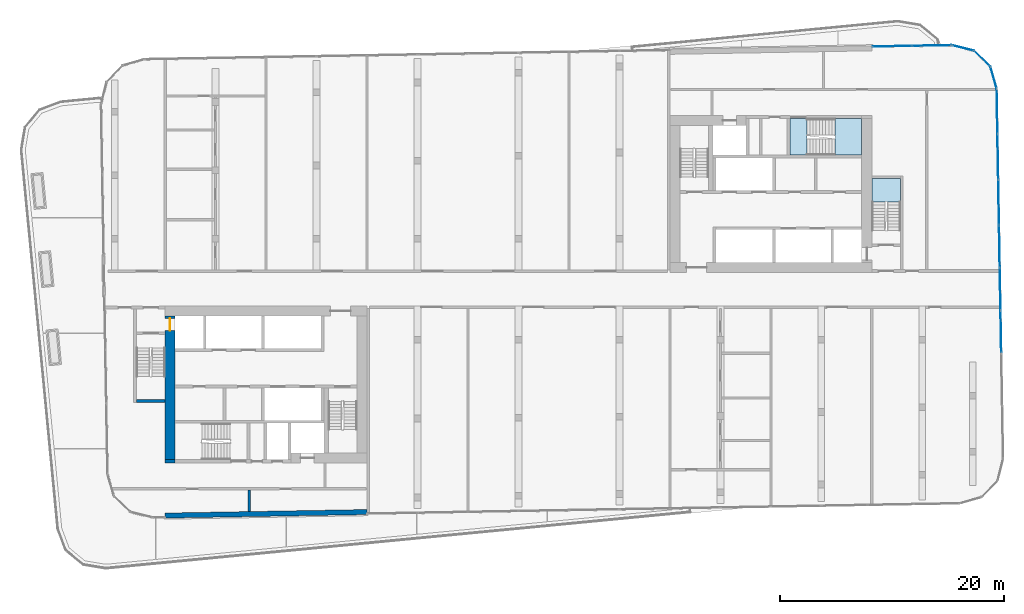
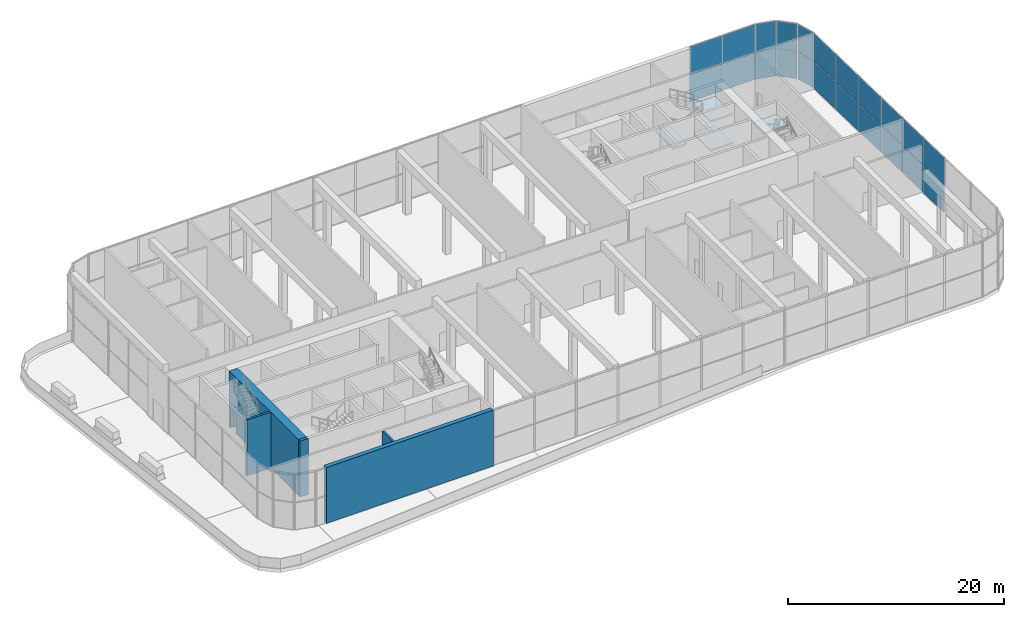
# One storey, part 11 of 24: 22 plates, 5 walls, 4 slabs, 1 door, 1 opening, 8 elements without a shape of their own.
"""IFC4 building model written with IfcOpenShell, lengths in metres."""

from ifc_helpers import new_model, si_unit, direction, frame, frame_2d, origin, origin_2d, place, context, subcontext, project, spatial, polyline, rectangle, outline, extrude, material, layer, layer_set, type_object, element, fill, aggregate, save


model = new_model("IFC4")

# Units and contexts
model_context = context("Model", 3, precision=1e-05, world=origin(), true_north=direction((0.0, 1.0)))
body_context = subcontext(model_context, "Body", "Model", "MODEL_VIEW")
ifc_project = project(units=[si_unit("LENGTHUNIT", "METRE"), si_unit("AREAUNIT", "SQUARE_METRE"), si_unit("VOLUMEUNIT", "CUBIC_METRE"), si_unit("PLANEANGLEUNIT", "RADIAN"), si_unit("MASSUNIT", "GRAM", prefix="KILO")], contexts=[model_context])

# Site, building, storey
site_placement = place(None, origin())
site = spatial("IfcSite", under=ifc_project, at=site_placement, CompositionType="ELEMENT")
building_placement = place(site_placement, origin())
building = spatial("IfcBuilding", under=site, at=building_placement, Name="Kajstack Hotel Tower", CompositionType="ELEMENT")
storey_placement = place(building_placement, frame((0.0, 0.0, 211.10009765625)))
storey = spatial("IfcBuildingStorey", under=building, at=storey_placement, Name="L51", CompositionType="ELEMENT", Elevation=211.10009765625)

# Curtain wall, plates
ifc_material_1 = material(Name="Aluminium-framed curtain wall, low-iron insulated glass", Category="aluminium")
curtain_wall_type = type_object("IfcCurtainWallType", Name="CW-GARDEN", PredefinedType="NOTDEFINED", material=ifc_material_1)
curtain_wall_1_placement = place(storey_placement, origin())
curtain_wall_1 = element("IfcCurtainWall", 1, at=curtain_wall_1_placement, inside=storey, type_object=curtain_wall_type, Name="Curtain wall CU6 L51-08-00-1", PredefinedType="NOTDEFINED")
ifc_material_2 = material(Name="Low-iron insulated glass", Category="glass")
ifc_layer_1 = layer(ifc_material_2, 0.0400390625)
ifc_layer_set_1 = layer_set([ifc_layer_1], Name="CW-P-GARDEN")
plate_type = type_object("IfcPlateType", Name="CW-P-GARDEN", PredefinedType="CURTAIN_PANEL", material=ifc_layer_set_1)
plate_1_placement = place(storey_placement, frame((43.00927734375, -3.786376953125, 0.06005859375), z_axis=(0.0, 0.0, 1.0), x_axis=(-0.017454598673, 0.999847656888, 0.0)))
plate_1 = element("IfcPlate", 2, at=plate_1_placement, type_object=plate_type, Name="CU6 panel 1.1", PredefinedType="CURTAIN_PANEL", context=body_context, shape_type="SweptSolid", body=[
    extrude(rectangle(XDim=3.710693359375, YDim=0.0400390625, at=origin_2d()), origin(), (0.0, 0.0, 1.0), 3.070068359375),
])
plate_2_placement = place(storey_placement, frame((43.00927734375, -3.786376953125, 3.18994140625), z_axis=(0.0, 0.0, 1.0), x_axis=(-0.017454598673, 0.999847656888, 0.0)))
plate_2 = element("IfcPlate", 3, at=plate_2_placement, type_object=plate_type, Name="CU6 panel 1.2", PredefinedType="CURTAIN_PANEL", context=body_context, shape_type="SweptSolid", body=[
    extrude(rectangle(XDim=3.710693359375, YDim=0.0400390625, at=origin_2d()), origin(), (0.0, 0.0, 1.0), 3.070068359375),
])
plate_3_placement = place(storey_placement, frame((42.943359375, -0.001220703125, 0.06005859375), z_axis=(0.0, 0.0, 1.0), x_axis=(-0.017454598673, 0.999847656888, 0.0)))
plate_3 = element("IfcPlate", 4, at=plate_3_placement, type_object=plate_type, Name="CU6 panel 2.1", PredefinedType="CURTAIN_PANEL", context=body_context, shape_type="SweptSolid", body=[
    extrude(rectangle(XDim=3.74072265625, YDim=0.0400390625, at=origin_2d()), origin(), (0.0, 0.0, 1.0), 3.070068359375),
])
plate_4_placement = place(storey_placement, frame((42.943359375, -0.001220703125, 3.18994140625), z_axis=(0.0, 0.0, 1.0), x_axis=(-0.017454598673, 0.999847656888, 0.0)))
plate_4 = element("IfcPlate", 5, at=plate_4_placement, type_object=plate_type, Name="CU6 panel 2.2", PredefinedType="CURTAIN_PANEL", context=body_context, shape_type="SweptSolid", body=[
    extrude(rectangle(XDim=3.74072265625, YDim=0.0400390625, at=origin_2d()), origin(), (0.0, 0.0, 1.0), 3.070068359375),
])
plate_5_placement = place(storey_placement, frame((42.877197265625, 3.78369140625, 0.06005859375), z_axis=(0.0, 0.0, 1.0), x_axis=(-0.017454598673, 0.999847656888, 0.0)))
plate_5 = element("IfcPlate", 6, at=plate_5_placement, type_object=plate_type, Name="CU6 panel 3.1", PredefinedType="CURTAIN_PANEL", context=body_context, shape_type="SweptSolid", body=[
    extrude(rectangle(XDim=3.710693359375, YDim=0.0400390625, at=origin_2d()), origin(), (0.0, 0.0, 1.0), 3.070068359375),
])
plate_6_placement = place(storey_placement, frame((42.877197265625, 3.78369140625, 3.18994140625), z_axis=(0.0, 0.0, 1.0), x_axis=(-0.017454598673, 0.999847656888, 0.0)))
plate_6 = element("IfcPlate", 7, at=plate_6_placement, type_object=plate_type, Name="CU6 panel 3.2", PredefinedType="CURTAIN_PANEL", context=body_context, shape_type="SweptSolid", body=[
    extrude(rectangle(XDim=3.710693359375, YDim=0.0400390625, at=origin_2d()), origin(), (0.0, 0.0, 1.0), 3.070068359375),
])
aggregate(curtain_wall_1, [plate_1, plate_2, plate_3, plate_4, plate_5, plate_6])

curtain_wall_2_placement = place(storey_placement, origin())
curtain_wall_2 = element("IfcCurtainWall", 8, at=curtain_wall_2_placement, inside=storey, type_object=curtain_wall_type, Name="Curtain wall CU6 L51-08-00-2", PredefinedType="NOTDEFINED")
plate_7_placement = place(storey_placement, frame((42.80810546875, 7.746337890625, 0.06005859375), z_axis=(0.0, 0.0, 1.0), x_axis=(-0.017454524927, 0.999847658176, 0.0)))
plate_7 = element("IfcPlate", 9, at=plate_7_placement, type_object=plate_type, Name="CU6 panel 1.1", PredefinedType="CURTAIN_PANEL", context=body_context, shape_type="SweptSolid", body=[
    extrude(rectangle(XDim=3.975830078125, YDim=0.0400390625, at=origin_2d()), origin(), (0.0, 0.0, 1.0), 3.070068359375),
])
plate_8_placement = place(storey_placement, frame((42.80810546875, 7.746337890625, 3.18994140625), z_axis=(0.0, 0.0, 1.0), x_axis=(-0.017454524927, 0.999847658176, 0.0)))
plate_8 = element("IfcPlate", 10, at=plate_8_placement, type_object=plate_type, Name="CU6 panel 1.2", PredefinedType="CURTAIN_PANEL", context=body_context, shape_type="SweptSolid", body=[
    extrude(rectangle(XDim=3.975830078125, YDim=0.0400390625, at=origin_2d()), origin(), (0.0, 0.0, 1.0), 3.070068359375),
])
plate_9_placement = place(storey_placement, frame((42.7373046875, 11.796630859375, 0.06005859375), z_axis=(0.0, 0.0, 1.0), x_axis=(-0.017454524927, 0.999847658176, 0.0)))
plate_9 = element("IfcPlate", 11, at=plate_9_placement, type_object=plate_type, Name="CU6 panel 2.1", PredefinedType="CURTAIN_PANEL", context=body_context, shape_type="SweptSolid", body=[
    extrude(rectangle(XDim=4.005859375, YDim=0.0400390625, at=origin_2d()), origin(), (0.0, 0.0, 1.0), 3.070068359375),
])
plate_10_placement = place(storey_placement, frame((42.7373046875, 11.796630859375, 3.18994140625), z_axis=(0.0, 0.0, 1.0), x_axis=(-0.017454524927, 0.999847658176, 0.0)))
plate_10 = element("IfcPlate", 12, at=plate_10_placement, type_object=plate_type, Name="CU6 panel 2.2", PredefinedType="CURTAIN_PANEL", context=body_context, shape_type="SweptSolid", body=[
    extrude(rectangle(XDim=4.005859375, YDim=0.0400390625, at=origin_2d()), origin(), (0.0, 0.0, 1.0), 3.070068359375),
])
plate_11_placement = place(storey_placement, frame((42.666748046875, 15.8466796875, 0.06005859375), z_axis=(0.0, 0.0, 1.0), x_axis=(-0.017454524927, 0.999847658176, 0.0)))
plate_11 = element("IfcPlate", 13, at=plate_11_placement, type_object=plate_type, Name="CU6 panel 3.1", PredefinedType="CURTAIN_PANEL", context=body_context, shape_type="SweptSolid", body=[
    extrude(rectangle(XDim=3.975830078125, YDim=0.0400390625, at=origin_2d()), origin(), (0.0, 0.0, 1.0), 3.070068359375),
])
plate_12_placement = place(storey_placement, frame((42.666748046875, 15.8466796875, 3.18994140625), z_axis=(0.0, 0.0, 1.0), x_axis=(-0.017454524927, 0.999847658176, 0.0)))
plate_12 = element("IfcPlate", 14, at=plate_12_placement, type_object=plate_type, Name="CU6 panel 3.2", PredefinedType="CURTAIN_PANEL", context=body_context, shape_type="SweptSolid", body=[
    extrude(rectangle(XDim=3.975830078125, YDim=0.0400390625, at=origin_2d()), origin(), (0.0, 0.0, 1.0), 3.070068359375),
])
aggregate(curtain_wall_2, [plate_7, plate_8, plate_9, plate_10, plate_11, plate_12])

curtain_wall_3_placement = place(storey_placement, origin())
curtain_wall_3 = element("IfcCurtainWall", 15, at=curtain_wall_3_placement, inside=storey, type_object=curtain_wall_type, Name="Curtain wall CU6 L51-09-00-0", PredefinedType="NOTDEFINED")
plate_13_placement = place(storey_placement, frame((42.348388671875, 18.8701171875, 0.06005859375), z_axis=(0.0, 0.0, 1.0), x_axis=(-0.275633186987, 0.961262891321, 0.0)))
plate_13 = element("IfcPlate", 16, at=plate_13_placement, type_object=plate_type, Name="CU6 panel 1.1", PredefinedType="CURTAIN_PANEL", context=body_context, shape_type="SweptSolid", body=[
    extrude(rectangle(XDim=1.950439453125, YDim=0.0400390625, at=origin_2d()), origin(), (0.0, 0.0, 1.0), 3.070068359375),
])
plate_14_placement = place(storey_placement, frame((42.348388671875, 18.8701171875, 3.18994140625), z_axis=(0.0, 0.0, 1.0), x_axis=(-0.275633186987, 0.961262891321, 0.0)))
plate_14 = element("IfcPlate", 17, at=plate_14_placement, type_object=plate_type, Name="CU6 panel 1.2", PredefinedType="CURTAIN_PANEL", context=body_context, shape_type="SweptSolid", body=[
    extrude(rectangle(XDim=1.950439453125, YDim=0.0400390625, at=origin_2d()), origin(), (0.0, 0.0, 1.0), 3.070068359375),
])
aggregate(curtain_wall_3, [plate_13, plate_14])

curtain_wall_4_placement = place(storey_placement, origin())
curtain_wall_4 = element("IfcCurtainWall", 18, at=curtain_wall_4_placement, inside=storey, type_object=curtain_wall_type, Name="Curtain wall CU6 L51-10-00-0", PredefinedType="NOTDEFINED")
plate_15_placement = place(storey_placement, frame((41.33837890625, 20.55126953125, 0.06005859375), z_axis=(0.0, 0.0, 1.0), x_axis=(-0.719314909283, 0.694684144978, 0.0)))
plate_15 = element("IfcPlate", 19, at=plate_15_placement, type_object=plate_type, Name="CU6 panel 1.1", PredefinedType="CURTAIN_PANEL", context=body_context, shape_type="SweptSolid", body=[
    extrude(rectangle(XDim=1.95068359375, YDim=0.0400390625, at=origin_2d()), origin(), (0.0, 0.0, 1.0), 3.070068359375),
])
plate_16_placement = place(storey_placement, frame((41.33837890625, 20.55126953125, 3.18994140625), z_axis=(0.0, 0.0, 1.0), x_axis=(-0.719314909283, 0.694684144978, 0.0)))
plate_16 = element("IfcPlate", 20, at=plate_16_placement, type_object=plate_type, Name="CU6 panel 1.2", PredefinedType="CURTAIN_PANEL", context=body_context, shape_type="SweptSolid", body=[
    extrude(rectangle(XDim=1.95068359375, YDim=0.0400390625, at=origin_2d()), origin(), (0.0, 0.0, 1.0), 3.070068359375),
])
aggregate(curtain_wall_4, [plate_15, plate_16])

curtain_wall_5_placement = place(storey_placement, origin())
curtain_wall_5 = element("IfcCurtainWall", 21, at=curtain_wall_5_placement, inside=storey, type_object=curtain_wall_type, Name="Curtain wall CU6 L51-11-00-0", PredefinedType="NOTDEFINED")
plate_17_placement = place(storey_placement, frame((39.623046875, 21.501953125, 0.06005859375), z_axis=(0.0, 0.0, 1.0), x_axis=(-0.970298547949, 0.241910578206, 0.0)))
plate_17 = element("IfcPlate", 22, at=plate_17_placement, type_object=plate_type, Name="CU6 panel 1.1", PredefinedType="CURTAIN_PANEL", context=body_context, shape_type="SweptSolid", body=[
    extrude(rectangle(XDim=1.95068359375, YDim=0.0400390625, at=origin_2d()), origin(), (0.0, 0.0, 1.0), 3.070068359375),
])
plate_18_placement = place(storey_placement, frame((39.623046875, 21.501953125, 3.18994140625), z_axis=(0.0, 0.0, 1.0), x_axis=(-0.970298547949, 0.241910578206, 0.0)))
plate_18 = element("IfcPlate", 23, at=plate_18_placement, type_object=plate_type, Name="CU6 panel 1.2", PredefinedType="CURTAIN_PANEL", context=body_context, shape_type="SweptSolid", body=[
    extrude(rectangle(XDim=1.95068359375, YDim=0.0400390625, at=origin_2d()), origin(), (0.0, 0.0, 1.0), 3.070068359375),
])
aggregate(curtain_wall_5, [plate_17, plate_18])

curtain_wall_6_placement = place(storey_placement, origin())
curtain_wall_6 = element("IfcCurtainWall", 24, at=curtain_wall_6_placement, inside=storey, type_object=curtain_wall_type, Name="Curtain wall CU6 L51-12-00-0", PredefinedType="NOTDEFINED")
plate_19_placement = place(storey_placement, frame((36.8388671875, 21.71875, 0.06005859375), z_axis=(0.0, 0.0, 1.0), x_axis=(-0.999847689623, -0.017452723463, 0.0)))
plate_19 = element("IfcPlate", 25, at=plate_19_placement, type_object=plate_type, Name="CU6 panel 1.1", PredefinedType="CURTAIN_PANEL", context=body_context, shape_type="SweptSolid", body=[
    extrude(rectangle(XDim=3.47900390625, YDim=0.0400390625, at=origin_2d()), origin(), (0.0, 0.0, 1.0), 3.070068359375),
])
plate_20_placement = place(storey_placement, frame((36.8388671875, 21.71875, 3.18994140625), z_axis=(0.0, 0.0, 1.0), x_axis=(-0.999847689623, -0.017452723463, 0.0)))
plate_20 = element("IfcPlate", 26, at=plate_20_placement, type_object=plate_type, Name="CU6 panel 1.2", PredefinedType="CURTAIN_PANEL", context=body_context, shape_type="SweptSolid", body=[
    extrude(rectangle(XDim=3.47900390625, YDim=0.0400390625, at=origin_2d()), origin(), (0.0, 0.0, 1.0), 3.070068359375),
])
plate_21_placement = place(storey_placement, frame((33.300537109375, 21.656982421875, 0.06005859375), z_axis=(0.0, 0.0, 1.0), x_axis=(-0.999847689623, -0.017452723463, 0.0)))
plate_21 = element("IfcPlate", 27, at=plate_21_placement, type_object=plate_type, Name="CU6 panel 2.1", PredefinedType="CURTAIN_PANEL", context=body_context, shape_type="SweptSolid", body=[
    extrude(rectangle(XDim=3.47900390625, YDim=0.0400390625, at=origin_2d()), origin(), (0.0, 0.0, 1.0), 3.070068359375),
])
plate_22_placement = place(storey_placement, frame((33.300537109375, 21.656982421875, 3.18994140625), z_axis=(0.0, 0.0, 1.0), x_axis=(-0.999847689623, -0.017452723463, 0.0)))
plate_22 = element("IfcPlate", 28, at=plate_22_placement, type_object=plate_type, Name="CU6 panel 2.2", PredefinedType="CURTAIN_PANEL", context=body_context, shape_type="SweptSolid", body=[
    extrude(rectangle(XDim=3.47900390625, YDim=0.0400390625, at=origin_2d()), origin(), (0.0, 0.0, 1.0), 3.070068359375),
])
aggregate(curtain_wall_6, [plate_19, plate_20, plate_21, plate_22])

# Stair, slab
ifc_material_3 = material(Name="Concrete C40/50", Category="concrete")
stair_type_1 = type_object("IfcStairType", Name="Exit stair 1200", PredefinedType="HALF_TURN_STAIR", material=ifc_material_3)
stair_1_placement = place(storey_placement, origin())
stair_1 = element("IfcStair", 29, at=stair_1_placement, inside=storey, type_object=stair_type_1, Name="L51 stair E1", PredefinedType="HALF_TURN_STAIR")
ifc_layer_2 = layer(ifc_material_3, 0.199951171875)
ifc_layer_set_2 = layer_set([ifc_layer_2], Name="Stair landing 200")
slab_type = type_object("IfcSlabType", Name="Stair landing 200", PredefinedType="LANDING", material=ifc_layer_set_2)
slab_1_placement = place(storey_placement, frame((0.0, 0.0, 4.75)))
slab_1 = element("IfcSlab", 30, at=slab_1_placement, type_object=slab_type, Name="E1 landing 3", PredefinedType="LANDING", context=body_context, shape_type="SweptSolid", body=[
    extrude(outline(polyline([(34.050048828125, 7.77001953125), (34.050048828125, 9.85009765625), (31.5, 9.85009765625), (31.5, 7.77001953125), (34.050048828125, 7.77001953125)])), origin(), (0.0, 0.0, 1.0), 0.199951171875),
])
aggregate(stair_1, [slab_1])

# Stair, slabs
stair_type_2 = type_object("IfcStairType", Name="Exit stair 1500", PredefinedType="HALF_TURN_STAIR", material=ifc_material_3)
stair_2_placement = place(storey_placement, origin())
stair_2 = element("IfcStair", 31, at=stair_2_placement, inside=storey, type_object=stair_type_2, Name="L51 stair E3", PredefinedType="HALF_TURN_STAIR")
slab_2_placement = place(storey_placement, frame((0.0, 0.0, 1.449951171875)))
slab_2 = element("IfcSlab", 32, at=slab_2_placement, type_object=slab_type, Name="E3 landing 1", PredefinedType="LANDING", context=body_context, shape_type="SweptSolid", body=[
    extrude(outline(polyline([(28.219970703125, 11.949951171875), (30.60009765625, 11.949951171875), (30.60009765625, 15.199951171875), (28.219970703125, 15.199951171875), (28.219970703125, 11.949951171875)])), origin(), (0.0, 0.0, 1.0), 0.199951171875),
])
slab_3_placement = place(storey_placement, frame((0.0, 0.0, 3.099853515625)))
slab_3 = element("IfcSlab", 33, at=slab_3_placement, type_object=slab_type, Name="E3 landing 2", PredefinedType="LANDING", context=body_context, shape_type="SweptSolid", body=[
    extrude(outline(polyline([(24.199951171875, 11.949951171875), (25.699951171875, 11.949951171875), (25.699951171875, 15.199951171875), (24.199951171875, 15.199951171875), (24.199951171875, 11.949951171875)])), origin(), (0.0, 0.0, 1.0), 0.199951171875),
])
slab_4_placement = place(storey_placement, frame((0.0, 0.0, 4.75)))
slab_4 = element("IfcSlab", 34, at=slab_4_placement, type_object=slab_type, Name="E3 landing 3", PredefinedType="LANDING", context=body_context, shape_type="SweptSolid", body=[
    extrude(outline(polyline([(28.219970703125, 11.949951171875), (30.60009765625, 11.949951171875), (30.60009765625, 15.199951171875), (28.219970703125, 15.199951171875), (28.219970703125, 11.949951171875)])), origin(), (0.0, 0.0, 1.0), 0.199951171875),
])
aggregate(stair_2, [slab_2, slab_3, slab_4])

# Wall
ifc_material_4 = material(Name="Concrete C60/75", Category="concrete")
ifc_layer_3 = layer(ifc_material_4, 0.89990234375)
ifc_layer_set_3 = layer_set([ifc_layer_3], Name="Core wall 900")
wall_type_1 = type_object("IfcWallType", Name="Core wall 900", PredefinedType="SHEAR", material=ifc_layer_set_3)
wall_1_placement = place(storey_placement, frame((-31.5, -15.35009765625, 0.0), z_axis=(0.0, 0.0, 1.0), x_axis=(1.0, 0.0, 0.0)))
element("IfcWall", 35, at=wall_1_placement, inside=storey, type_object=wall_type_1, Name="Core wall W RSW", PredefinedType="SHEAR", context=body_context, shape_type="SweptSolid", body=[
    extrude(rectangle(XDim=0.89990234375, YDim=0.300048828125, at=frame_2d((0.449951171875, 0.0))), origin(), (0.0, 0.0, 1.0), 6.31982421875),
])

# Wall, opening, door
wall_2_placement = place(storey_placement, frame((-31.050048828125, -15.199951171875, 0.0), z_axis=(0.0, 0.0, 1.0), x_axis=(0.0, 1.0, 0.0)))
wall_2 = element("IfcWall", 36, at=wall_2_placement, inside=storey, type_object=wall_type_1, Name="Core wall W RW", PredefinedType="SHEAR", context=body_context, shape_type="SweptSolid", body=[
    extrude(rectangle(XDim=12.800048828125, YDim=0.89990234375, at=frame_2d((6.39990234375, 0.0))), origin(), (0.0, 0.0, 1.0), 6.31982421875),
])
opening_placement = place(wall_2_placement, frame((11.5, 0.0, 0.0)))
opening = element("IfcOpeningElement", 37, at=opening_placement, cuts=wall_2, Name="Opening LD-FF1", PredefinedType="OPENING", context=body_context, shape_type="SweptSolid", body=[
    extrude(rectangle(XDim=1.10009765625, YDim=2.10009765625, at=frame_2d((0.550048828125, 1.050048828125))), frame((0.0, 0.4599609375, 0.0), z_axis=(0.0, -1.0, 0.0), x_axis=(1.0, 0.0, 0.0)), (0.0, 0.0, 1.0), 0.919921875),
])
ifc_material_5 = material(Name="Stainless steel", Category="steel")
door_type = type_object("IfcDoorType", Name="Fire-fighting lift landing door 1100", OperationType="SLIDING_TO_LEFT", PredefinedType="DOOR", material=ifc_material_5)
door_placement = place(opening_placement, origin())
door = element("IfcDoor", 38, at=door_placement, inside=storey, type_object=door_type, Name="Landing door FF1", OperationType="SLIDING_TO_RIGHT", OverallHeight=2.10009765625, OverallWidth=1.10009765625, PredefinedType="DOOR", context=body_context, shape_type="SweptSolid", body=[
    extrude(rectangle(XDim=1.10009765625, YDim=2.10009765625, at=frame_2d((0.550048828125, 1.050048828125))), frame((0.0, 0.02490234375, 0.0), z_axis=(0.0, -1.0, 0.0), x_axis=(1.0, 0.0, 0.0)), (0.0, 0.0, 1.0), 0.050048828125),
])
fill(opening, door)

# Walls
ifc_layer_4 = layer(ifc_material_3, 0.449951171875)
ifc_layer_set_4 = layer_set([ifc_layer_4], Name="EW-CORE")
wall_type_2 = type_object("IfcWallType", Name="EW-CORE", PredefinedType="SOLIDWALL", material=ifc_layer_set_4)
wall_3_placement = place(storey_placement, frame((-31.50390625, -20.180419921875, 0.0), z_axis=(0.0, 0.0, 1.0), x_axis=(0.999847677887, 0.017453395744, 0.0)))
element("IfcWall", 39, at=wall_3_placement, inside=storey, type_object=wall_type_2, Name="E-wall-L51-04-01", PredefinedType="SOLIDWALL", context=body_context, shape_type="SweptSolid", body=[
    extrude(rectangle(XDim=18.002685546875, YDim=0.449951171875, at=frame_2d((9.00146484375, 0.0))), origin(), (0.0, 0.0, 1.0), 6.31982421875),
])
ifc_material_6 = material(Name="Gypsum board on steel studs, mineral wool", Category="steel")
ifc_layer_5 = layer(ifc_material_6, 0.199951171875)
ifc_layer_set_5 = layer_set([ifc_layer_5], Name="Service partition 200")
wall_type_3 = type_object("IfcWallType", Name="Service partition 200", PredefinedType="PARTITIONING", material=ifc_layer_set_5)
wall_4_placement = place(storey_placement, frame((-24.0, -19.824462890625, 0.0), z_axis=(0.0, 0.0, 1.0), x_axis=(0.0, 1.0, 0.0)))
element("IfcWall", 40, at=wall_4_placement, inside=storey, type_object=wall_type_3, Name="Partition W SLP0", PredefinedType="PARTITIONING", context=body_context, shape_type="SweptSolid", body=[
    extrude(rectangle(XDim=1.924560546875, YDim=0.199951171875, at=frame_2d((0.96240234375, 0.0))), origin(), (0.0, 0.0, 1.0), 6.31982421875),
])
ifc_layer_6 = layer(ifc_material_3, 0.25)
ifc_layer_set_6 = layer_set([ifc_layer_6], Name="Stair enclosure wall 250")
wall_type_4 = type_object("IfcWallType", Name="Stair enclosure wall 250", PredefinedType="SHEAR", material=ifc_layer_set_6)
wall_5_placement = place(storey_placement, frame((-34.050048828125, -9.97509765625, 0.0), z_axis=(0.0, 0.0, 1.0), x_axis=(1.0, 0.0, 0.0)))
element("IfcWall", 41, at=wall_5_placement, inside=storey, type_object=wall_type_4, Name="Core wall W W1S", PredefinedType="SHEAR", context=body_context, shape_type="SweptSolid", body=[
    extrude(rectangle(XDim=2.550048828125, YDim=0.25, at=frame_2d((1.27490234375, 0.0))), origin(), (0.0, 0.0, 1.0), 6.31982421875),
])

save(model, "model.ifc")
